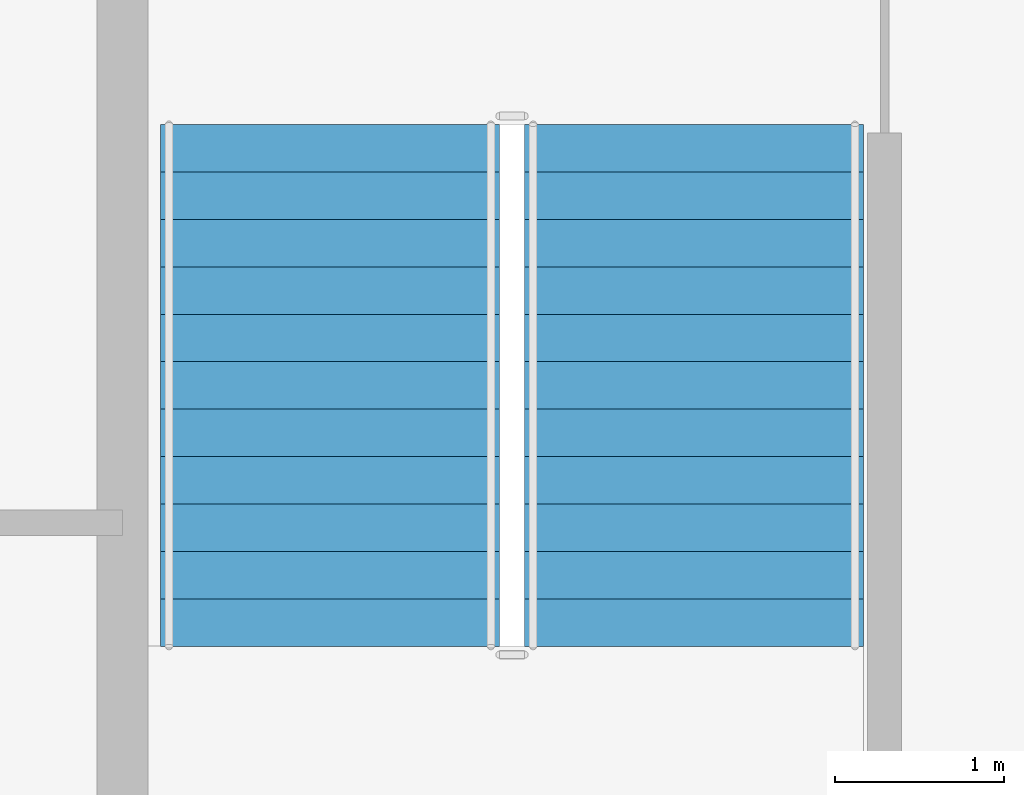
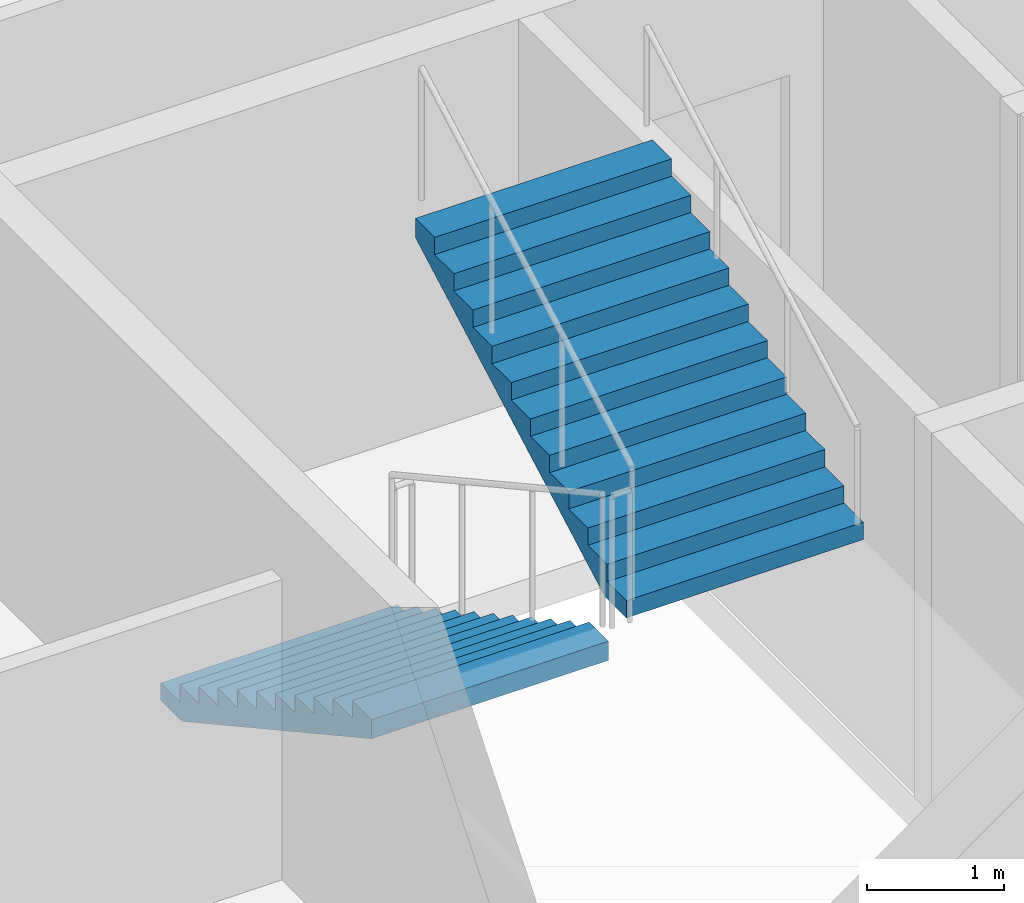
# One storey, part 9 of 12: 2 stair flights, 1 element without a shape of its own.
"""IFC4 building model written with IfcOpenShell, lengths in metres."""

import ifcopenshell
import ifcopenshell.guid

model = None  # the IFC model being written
_history = None  # IfcOwnerHistory: only IFC2X3 demands one
_inside = {}  # id of a spatial element -> (the spatial element, [elements in it])
_under = {}  # id of a project, library or spatial element -> (it, [spatial elements below it])
_declared = {}  # id of a project -> (the project, [libraries it declares])
_typed = {}  # id of a type object -> (the type object, [elements of that type])
_made_of = {}  # id of a material, layer set ... -> (it, [elements and type objects made of it])


def new_model(schema):
    """Start an empty IFC model of exactly this schema.

    Asked for "IFC4X3", IfcOpenShell would pick the latest addendum, in which some entities
    have other attributes; the version numbers below select the first issue.
    IFC2X3 requires an IfcOwnerHistory on every rooted entity: one is made here for all.
    """
    global model, _history
    if schema == "IFC4X3":
        model = ifcopenshell.file(schema_version=(4, 3, 0, 0))
    else:
        model = ifcopenshell.file(schema=schema)
    _inside.clear()
    _under.clear()
    _declared.clear()
    _typed.clear()
    _made_of.clear()
    _history = None
    if model.schema == "IFC2X3":
        org = make("IfcOrganization", Name="unknown")
        user = make(
            "IfcPersonAndOrganization",
            ThePerson=make("IfcPerson", FamilyName="unknown"),
            TheOrganization=org,
        )
        app = make(
            "IfcApplication",
            ApplicationDeveloper=org,
            Version="unknown",
            ApplicationFullName="unknown",
            ApplicationIdentifier="unknown",
        )
        _history = make(
            "IfcOwnerHistory",
            OwningUser=user,
            OwningApplication=app,
            ChangeAction="ADDED",
            CreationDate=0,
        )
    return model


def make(cls, **values):
    """One entity of the class cls with the attributes given. An attribute that is None is left unset."""
    return model.create_entity(
        cls, **{name: value for name, value in values.items() if value is not None}
    )


def rooted(cls, **values):
    """An entity with a GlobalId (a new one), such as an element, a storey or a relation."""
    return make(cls, GlobalId=ifcopenshell.guid.new(), OwnerHistory=_history, **values)


def si_unit(unit_type, name, prefix=None):
    """IfcSIUnit, for example si_unit("LENGTHUNIT", "METRE", prefix="MILLI")."""
    return make("IfcSIUnit", UnitType=unit_type, Prefix=prefix, Name=name)


def assignment(units):
    """IfcUnitAssignment: the units of a project."""
    return None if units is None else make("IfcUnitAssignment", Units=units)


def point(xyz):
    """IfcCartesianPoint."""
    return None if xyz is None else make("IfcCartesianPoint", Coordinates=xyz)


def direction(xyz):
    """IfcDirection."""
    return None if xyz is None else make("IfcDirection", DirectionRatios=xyz)


def frame(location, z_axis=None, x_axis=None):
    """IfcAxis2Placement3D, a coordinate frame: its origin and axes. An axis left out is left unset."""
    return make(
        "IfcAxis2Placement3D",
        Location=point(location),
        Axis=direction(z_axis),
        RefDirection=direction(x_axis),
    )


def origin():
    """The frame at (0, 0, 0) with its axes left unset."""
    return frame((0.0, 0.0, 0.0))


def place(relative_to, where):
    """IfcLocalPlacement: puts the frame where relative to a parent placement (None: the world)."""
    return make(
        "IfcLocalPlacement", PlacementRelTo=relative_to, RelativePlacement=where
    )


def context(
    kind, dimensions, precision=None, world=None, true_north=None, identifier=None
):
    """IfcGeometricRepresentationContext, for example the 3D "Model" context."""
    return make(
        "IfcGeometricRepresentationContext",
        ContextIdentifier=identifier,
        ContextType=kind,
        CoordinateSpaceDimension=dimensions,
        Precision=precision,
        WorldCoordinateSystem=world,
        TrueNorth=true_north,
    )


def subcontext(parent, identifier, kind, view, scale=None):
    """IfcGeometricRepresentationSubContext, for example "Body" below "Model"."""
    return make(
        "IfcGeometricRepresentationSubContext",
        ContextIdentifier=identifier,
        ContextType=kind,
        ParentContext=parent,
        TargetScale=scale,
        TargetView=view,
    )


def project(units=None, contexts=None):
    """IfcProject with its units and contexts."""
    return rooted(
        "IfcProject",
        Name="project",
        RepresentationContexts=contexts,
        UnitsInContext=assignment(units),
    )


def spatial(cls, under=None, at=None, **own):
    """A site, building, storey or space (cls), placed at a placement, below another one or the project."""
    s = rooted(cls, ObjectPlacement=at, **own)
    if under is not None:
        _under.setdefault(under.id(), (under, []))[1].append(s)
    return s


def point_list(points):
    """IfcCartesianPointList2D or 3D."""
    cls = (
        "IfcCartesianPointList2D" if len(points[0]) == 2 else "IfcCartesianPointList3D"
    )
    return make(cls, CoordList=points)


def polygons(points, faces, closed=None, point_numbers=None):
    """IfcPolygonalFaceSet: a face is its outer loop, then its inner loops; points numbered from 1."""
    made = []
    for loops in faces:
        if len(loops) == 1:
            made.append(make("IfcIndexedPolygonalFace", CoordIndex=loops[0]))
        else:
            made.append(
                make(
                    "IfcIndexedPolygonalFaceWithVoids",
                    CoordIndex=loops[0],
                    InnerCoordIndices=loops[1:],
                )
            )
    return make(
        "IfcPolygonalFaceSet",
        Coordinates=point_list(points),
        Closed=closed,
        Faces=made,
        PnIndex=point_numbers,
    )


def shape(context_of_items, identifier, shape_type, items):
    """IfcShapeRepresentation: the items that make up one representation, for example the "Body"."""
    return make(
        "IfcShapeRepresentation",
        ContextOfItems=context_of_items,
        RepresentationIdentifier=identifier,
        RepresentationType=shape_type,
        Items=items,
    )


def material(Name=None, Category=None):
    """IfcMaterial."""
    return make("IfcMaterial", Name=Name, Category=Category)


def made_of(thing, what):
    """Note that an element or type object is made of a material, layer set ...; save() writes the relation."""
    if what is not None:
        _made_of.setdefault(what.id(), (what, []))[1].append(thing)
    return thing


def type_object(cls, material=None, **own):
    """A type object (cls), such as IfcWallType, which elements share."""
    return made_of(rooted(cls, **own), material)


def element(
    cls,
    number,
    at=None,
    inside=None,
    cuts=None,
    type_object=None,
    material=None,
    context=None,
    identifier="Body",
    shape_type=None,
    held_by="IfcProductDefinitionShape",
    body=None,
    shapes=None,
    **own,
):
    """One element of the class cls, such as IfcWall. Its Tag is "e" and its number.

    at: its placement. inside: the storey or other place that contains it. cuts: it is an
    opening in that element (IfcRelVoidsElement). A single representation is given by context,
    identifier, shape_type and body (its items); several are given by shapes. held_by: the class
    of the entity that holds the representations. save() writes the other relations.
    """
    e = rooted(cls, Tag="e%d" % number, ObjectPlacement=at, **own)
    if body is not None:
        shapes = [shape(context, identifier, shape_type, body)]
    if shapes is not None:
        e.Representation = make(held_by, Representations=shapes)
    if inside is not None:
        _inside.setdefault(inside.id(), (inside, []))[1].append(e)
    if cuts is not None:
        rooted(
            "IfcRelVoidsElement", RelatingBuildingElement=cuts, RelatedOpeningElement=e
        )
    if type_object is not None:
        _typed.setdefault(type_object.id(), (type_object, []))[1].append(e)
    return made_of(e, material)


def aggregate(whole, parts):
    """IfcRelAggregates: a whole, such as a stair, and the parts it consists of."""
    return rooted("IfcRelAggregates", RelatingObject=whole, RelatedObjects=parts)


def save(model, path):
    """Write the relations noted so far, then the file.

    IfcRelAggregates (storeys below a building ...), IfcRelContainedInSpatialStructure (elements
    in a storey), IfcRelDefinesByType, IfcRelAssociatesMaterial and IfcRelDeclares: one each for
    every whole, place, type object, material and project.
    """
    for whole, parts in _under.values():
        aggregate(whole, parts)
    for where, things in _inside.values():
        rooted(
            "IfcRelContainedInSpatialStructure",
            RelatedElements=things,
            RelatingStructure=where,
        )
    for kind, things in _typed.values():
        rooted("IfcRelDefinesByType", RelatedObjects=things, RelatingType=kind)
    for what, things in _made_of.values():
        rooted("IfcRelAssociatesMaterial", RelatedObjects=things, RelatingMaterial=what)
    for by, libraries in _declared.values():
        rooted("IfcRelDeclares", RelatingContext=by, RelatedDefinitions=libraries)
    model.write(path)


model = new_model("IFC4")

# Units and contexts
model_context = context("Model", 3, precision=1e-05, world=origin(), true_north=direction((0.0, 1.0)))
body_context = subcontext(model_context, "Body", "Model", "MODEL_VIEW")
ifc_project = project(units=[si_unit("LENGTHUNIT", "METRE"), si_unit("AREAUNIT", "SQUARE_METRE"), si_unit("VOLUMEUNIT", "CUBIC_METRE"), si_unit("PLANEANGLEUNIT", "RADIAN"), si_unit("MASSUNIT", "GRAM", prefix="KILO")], contexts=[model_context])

# Site, building, storey
site_placement = place(None, origin())
site = spatial("IfcSite", under=ifc_project, at=site_placement, CompositionType="ELEMENT")
building_placement = place(site_placement, origin())
building = spatial("IfcBuilding", under=site, at=building_placement, Name="Caravel Reach Hotel and Residences", CompositionType="ELEMENT")
storey_placement = place(building_placement, frame((0.0, 0.0, 199.800048828125)))
storey = spatial("IfcBuildingStorey", under=building, at=storey_placement, Name="L50", CompositionType="ELEMENT", Elevation=199.800048828125)

# Stair, stair flights
ifc_material_1 = material(Name="Concrete C40", Category="concrete")
stair_type = type_object("IfcStairType", Name="Core stair", PredefinedType="HALF_TURN_STAIR", material=ifc_material_1)
stair_placement = place(storey_placement, origin())
stair = element("IfcStair", 1, at=stair_placement, inside=storey, type_object=stair_type, Name="L50 Exit stair A", PredefinedType="HALF_TURN_STAIR")
ifc_material_2 = material(Name="Concrete C40", Category="concrete")
stair_flight_type = type_object("IfcStairFlightType", Name="Core stair flight", PredefinedType="STRAIGHT", material=ifc_material_2)
stair_flight_1_placement = place(storey_placement, frame((19.22509765625, 29.35009765625, 0.0), z_axis=(0.0, 0.0, 1.0), x_axis=(0.0, -1.0, 0.0)))
stair_flight_1 = element("IfcStairFlight", 2, at=stair_flight_1_placement, type_object=stair_flight_type, Name="ST-A flight 1", NumberOfRisers=12, NumberOfTreads=11, PredefinedType="STRAIGHT", RiserHeight=0.154166667, TreadLength=0.28, context=body_context, shape_type="Tessellation", body=[
    polygons([(0.3107950034306102, 1.0, 0.0), (0.3107950034306102, 0.6666666666666667, 0.0), (0.3107950034306102, 0.33333333333333337, 0.0), (0.3107950034306102, 0.0, 0.0), (0.3107950034306102, -0.33333333333333326, 0.0), (0.3107950034306102, -0.6666666666666667, 0.0), (0.3107950034306102, -1.0, 0.0), (3.081, 1.0, 1.524711087717319), (3.081, 0.6666666666666667, 1.524711087717319), (3.081, 0.33333333333333337, 1.524711087717319), (3.081, 0.0, 1.524711087717319), (3.081, -0.33333333333333326, 1.524711087717319), (3.081, -0.6666666666666667, 1.524711087717319), (3.081, -1.0, 1.524711087717319), (3.081, 1.0, 1.695833337), (3.081, 0.6666666666666667, 1.695833337), (3.081, 0.33333333333333337, 1.695833337), (3.081, 0.0, 1.695833337), (3.081, -0.33333333333333326, 1.695833337), (3.081, -0.6666666666666667, 1.695833337), (3.081, -1.0, 1.695833337), (2.8000000000000003, 1.0, 1.695833337), (2.8000000000000003, 0.6666666666666667, 1.695833337), (2.8000000000000003, 0.33333333333333337, 1.695833337), (2.8000000000000003, 0.0, 1.695833337), (2.8000000000000003, -0.33333333333333326, 1.695833337), (2.8000000000000003, -0.6666666666666667, 1.695833337), (2.8000000000000003, -1.0, 1.695833337), (2.8000000000000003, 1.0, 1.5416666700000001), (2.8000000000000003, 0.6666666666666667, 1.5416666700000001), (2.8000000000000003, 0.33333333333333337, 1.5416666700000001), (2.8000000000000003, 0.0, 1.5416666700000001), (2.8000000000000003, -0.33333333333333326, 1.5416666700000001), (2.8000000000000003, -0.6666666666666667, 1.5416666700000001), (2.8000000000000003, -1.0, 1.5416666700000001), (2.5200000000000005, 1.0, 1.5416666700000001), (2.5200000000000005, 0.6666666666666667, 1.5416666700000001), (2.5200000000000005, 0.33333333333333337, 1.5416666700000001), (2.5200000000000005, 0.0, 1.5416666700000001), (2.5200000000000005, -0.33333333333333326, 1.5416666700000001), (2.5200000000000005, -0.6666666666666667, 1.5416666700000001), (2.5200000000000005, -1.0, 1.5416666700000001), (2.5200000000000005, 1.0, 1.387500003), (2.5200000000000005, 0.6666666666666667, 1.387500003), (2.5200000000000005, 0.33333333333333337, 1.387500003), (2.5200000000000005, 0.0, 1.387500003), (2.5200000000000005, -0.33333333333333326, 1.387500003), (2.5200000000000005, -0.6666666666666667, 1.387500003), (2.5200000000000005, -1.0, 1.387500003), (2.24, 1.0, 1.387500003), (2.24, 0.6666666666666667, 1.387500003), (2.24, 0.33333333333333337, 1.387500003), (2.24, 0.0, 1.387500003), (2.24, -0.33333333333333326, 1.387500003), (2.24, -0.6666666666666667, 1.387500003), (2.24, -1.0, 1.387500003), (2.24, 1.0, 1.233333336), (2.24, 0.6666666666666667, 1.233333336), (2.24, 0.33333333333333337, 1.233333336), (2.24, 0.0, 1.233333336), (2.24, -0.33333333333333326, 1.233333336), (2.24, -0.6666666666666667, 1.233333336), (2.24, -1.0, 1.233333336), (1.9600000000000002, 1.0, 1.233333336), (1.9600000000000002, 0.6666666666666667, 1.233333336), (1.9600000000000002, 0.33333333333333337, 1.233333336), (1.9600000000000002, 0.0, 1.233333336), (1.9600000000000002, -0.33333333333333326, 1.233333336), (1.9600000000000002, -0.6666666666666667, 1.233333336), (1.9600000000000002, -1.0, 1.233333336), (1.9600000000000002, 1.0, 1.0791666690000001), (1.9600000000000002, 0.6666666666666667, 1.0791666690000001), (1.9600000000000002, 0.33333333333333337, 1.0791666690000001), (1.9600000000000002, 0.0, 1.0791666690000001), (1.9600000000000002, -0.33333333333333326, 1.0791666690000001), (1.9600000000000002, -0.6666666666666667, 1.0791666690000001), (1.9600000000000002, -1.0, 1.0791666690000001), (1.6800000000000002, 1.0, 1.0791666690000001), (1.6800000000000002, 0.6666666666666667, 1.0791666690000001), (1.6800000000000002, 0.33333333333333337, 1.0791666690000001), (1.6800000000000002, 0.0, 1.0791666690000001), (1.6800000000000002, -0.33333333333333326, 1.0791666690000001), (1.6800000000000002, -0.6666666666666667, 1.0791666690000001), (1.6800000000000002, -1.0, 1.0791666690000001), (1.6800000000000002, 1.0, 0.925000002), (1.6800000000000002, 0.6666666666666667, 0.925000002), (1.6800000000000002, 0.33333333333333337, 0.925000002), (1.6800000000000002, 0.0, 0.925000002), (1.6800000000000002, -0.33333333333333326, 0.925000002), (1.6800000000000002, -0.6666666666666667, 0.925000002), (1.6800000000000002, -1.0, 0.925000002), (1.4000000000000001, 1.0, 0.925000002), (1.4000000000000001, 0.6666666666666667, 0.925000002), (1.4000000000000001, 0.33333333333333337, 0.925000002), (1.4000000000000001, 0.0, 0.925000002), (1.4000000000000001, -0.33333333333333326, 0.925000002), (1.4000000000000001, -0.6666666666666667, 0.925000002), (1.4000000000000001, -1.0, 0.925000002), (1.4000000000000001, 1.0, 0.7708333350000001), (1.4000000000000001, 0.6666666666666667, 0.7708333350000001), (1.4000000000000001, 0.33333333333333337, 0.7708333350000001), (1.4000000000000001, 0.0, 0.7708333350000001), (1.4000000000000001, -0.33333333333333326, 0.7708333350000001), (1.4000000000000001, -0.6666666666666667, 0.7708333350000001), (1.4000000000000001, -1.0, 0.7708333350000001), (1.12, 1.0, 0.7708333350000001), (1.12, 0.6666666666666667, 0.7708333350000001), (1.12, 0.33333333333333337, 0.7708333350000001), (1.12, 0.0, 0.7708333350000001), (1.12, -0.33333333333333326, 0.7708333350000001), (1.12, -0.6666666666666667, 0.7708333350000001), (1.12, -1.0, 0.7708333350000001), (1.12, 1.0, 0.616666668), (1.12, 0.6666666666666667, 0.616666668), (1.12, 0.33333333333333337, 0.616666668), (1.12, 0.0, 0.616666668), (1.12, -0.33333333333333326, 0.616666668), (1.12, -0.6666666666666667, 0.616666668), (1.12, -1.0, 0.616666668), (0.8400000000000001, 1.0, 0.616666668), (0.8400000000000001, 0.6666666666666667, 0.616666668), (0.8400000000000001, 0.33333333333333337, 0.616666668), (0.8400000000000001, 0.0, 0.616666668), (0.8400000000000001, -0.33333333333333326, 0.616666668), (0.8400000000000001, -0.6666666666666667, 0.616666668), (0.8400000000000001, -1.0, 0.616666668), (0.8400000000000001, 1.0, 0.462500001), (0.8400000000000001, 0.6666666666666667, 0.462500001), (0.8400000000000001, 0.33333333333333337, 0.462500001), (0.8400000000000001, 0.0, 0.462500001), (0.8400000000000001, -0.33333333333333326, 0.462500001), (0.8400000000000001, -0.6666666666666667, 0.462500001), (0.8400000000000001, -1.0, 0.462500001), (0.56, 1.0, 0.462500001), (0.56, 0.6666666666666667, 0.462500001), (0.56, 0.33333333333333337, 0.462500001), (0.56, 0.0, 0.462500001), (0.56, -0.33333333333333326, 0.462500001), (0.56, -0.6666666666666667, 0.462500001), (0.56, -1.0, 0.462500001), (0.56, 1.0, 0.308333334), (0.56, 0.6666666666666667, 0.308333334), (0.56, 0.33333333333333337, 0.308333334), (0.56, 0.0, 0.308333334), (0.56, -0.33333333333333326, 0.308333334), (0.56, -0.6666666666666667, 0.308333334), (0.56, -1.0, 0.308333334), (0.28, 1.0, 0.308333334), (0.28, 0.6666666666666667, 0.308333334), (0.28, 0.33333333333333337, 0.308333334), (0.28, 0.0, 0.308333334), (0.28, -0.33333333333333326, 0.308333334), (0.28, -0.6666666666666667, 0.308333334), (0.28, -1.0, 0.308333334), (0.28, 1.0, 0.154166667), (0.28, 0.6666666666666667, 0.154166667), (0.28, 0.33333333333333337, 0.154166667), (0.28, 0.0, 0.154166667), (0.28, -0.33333333333333326, 0.154166667), (0.28, -0.6666666666666667, 0.154166667), (0.28, -1.0, 0.154166667), (-0.001, 1.0, 0.154166667), (-0.001, 0.6666666666666667, 0.154166667), (-0.001, 0.33333333333333337, 0.154166667), (-0.001, 0.0, 0.154166667), (-0.001, -0.33333333333333326, 0.154166667), (-0.001, -0.6666666666666667, 0.154166667), (-0.001, -1.0, 0.154166667), (-0.001, 1.0, 0.0), (-0.001, 0.6666666666666667, 0.0), (-0.001, 0.33333333333333337, 0.0), (-0.001, 0.0, 0.0), (-0.001, -0.33333333333333326, 0.0), (-0.001, -0.6666666666666667, 0.0), (-0.001, -1.0, 0.0)], [[[169, 162, 155, 148, 141, 134, 127, 120, 113, 106, 99, 92, 85, 78, 71, 64, 57, 50, 43, 36, 29, 22, 15, 8, 1]], [[7, 14, 21, 28, 35, 42, 49, 56, 63, 70, 77, 84, 91, 98, 105, 112, 119, 126, 133, 140, 147, 154, 161, 168, 175]], [[1, 8, 9, 2]], [[2, 9, 10, 3]], [[3, 10, 11, 4]], [[4, 11, 12, 5]], [[5, 12, 13, 6]], [[6, 13, 14, 7]], [[8, 15, 16, 9]], [[9, 16, 17, 10]], [[10, 17, 18, 11]], [[11, 18, 19, 12]], [[12, 19, 20, 13]], [[13, 20, 21, 14]], [[15, 22, 23, 16]], [[16, 23, 24, 17]], [[17, 24, 25, 18]], [[18, 25, 26, 19]], [[19, 26, 27, 20]], [[20, 27, 28, 21]], [[22, 29, 30, 23]], [[23, 30, 31, 24]], [[24, 31, 32, 25]], [[25, 32, 33, 26]], [[26, 33, 34, 27]], [[27, 34, 35, 28]], [[29, 36, 37, 30]], [[30, 37, 38, 31]], [[31, 38, 39, 32]], [[32, 39, 40, 33]], [[33, 40, 41, 34]], [[34, 41, 42, 35]], [[36, 43, 44, 37]], [[37, 44, 45, 38]], [[38, 45, 46, 39]], [[39, 46, 47, 40]], [[40, 47, 48, 41]], [[41, 48, 49, 42]], [[43, 50, 51, 44]], [[44, 51, 52, 45]], [[45, 52, 53, 46]], [[46, 53, 54, 47]], [[47, 54, 55, 48]], [[48, 55, 56, 49]], [[50, 57, 58, 51]], [[51, 58, 59, 52]], [[52, 59, 60, 53]], [[53, 60, 61, 54]], [[54, 61, 62, 55]], [[55, 62, 63, 56]], [[57, 64, 65, 58]], [[58, 65, 66, 59]], [[59, 66, 67, 60]], [[60, 67, 68, 61]], [[61, 68, 69, 62]], [[62, 69, 70, 63]], [[64, 71, 72, 65]], [[65, 72, 73, 66]], [[66, 73, 74, 67]], [[67, 74, 75, 68]], [[68, 75, 76, 69]], [[69, 76, 77, 70]], [[71, 78, 79, 72]], [[72, 79, 80, 73]], [[73, 80, 81, 74]], [[74, 81, 82, 75]], [[75, 82, 83, 76]], [[76, 83, 84, 77]], [[78, 85, 86, 79]], [[79, 86, 87, 80]], [[80, 87, 88, 81]], [[81, 88, 89, 82]], [[82, 89, 90, 83]], [[83, 90, 91, 84]], [[85, 92, 93, 86]], [[86, 93, 94, 87]], [[87, 94, 95, 88]], [[88, 95, 96, 89]], [[89, 96, 97, 90]], [[90, 97, 98, 91]], [[92, 99, 100, 93]], [[93, 100, 101, 94]], [[94, 101, 102, 95]], [[95, 102, 103, 96]], [[96, 103, 104, 97]], [[97, 104, 105, 98]], [[99, 106, 107, 100]], [[100, 107, 108, 101]], [[101, 108, 109, 102]], [[102, 109, 110, 103]], [[103, 110, 111, 104]], [[104, 111, 112, 105]], [[106, 113, 114, 107]], [[107, 114, 115, 108]], [[108, 115, 116, 109]], [[109, 116, 117, 110]], [[110, 117, 118, 111]], [[111, 118, 119, 112]], [[113, 120, 121, 114]], [[114, 121, 122, 115]], [[115, 122, 123, 116]], [[116, 123, 124, 117]], [[117, 124, 125, 118]], [[118, 125, 126, 119]], [[120, 127, 128, 121]], [[121, 128, 129, 122]], [[122, 129, 130, 123]], [[123, 130, 131, 124]], [[124, 131, 132, 125]], [[125, 132, 133, 126]], [[127, 134, 135, 128]], [[128, 135, 136, 129]], [[129, 136, 137, 130]], [[130, 137, 138, 131]], [[131, 138, 139, 132]], [[132, 139, 140, 133]], [[134, 141, 142, 135]], [[135, 142, 143, 136]], [[136, 143, 144, 137]], [[137, 144, 145, 138]], [[138, 145, 146, 139]], [[139, 146, 147, 140]], [[141, 148, 149, 142]], [[142, 149, 150, 143]], [[143, 150, 151, 144]], [[144, 151, 152, 145]], [[145, 152, 153, 146]], [[146, 153, 154, 147]], [[148, 155, 156, 149]], [[149, 156, 157, 150]], [[150, 157, 158, 151]], [[151, 158, 159, 152]], [[152, 159, 160, 153]], [[153, 160, 161, 154]], [[155, 162, 163, 156]], [[156, 163, 164, 157]], [[157, 164, 165, 158]], [[158, 165, 166, 159]], [[159, 166, 167, 160]], [[160, 167, 168, 161]], [[162, 169, 170, 163]], [[163, 170, 171, 164]], [[164, 171, 172, 165]], [[165, 172, 173, 166]], [[166, 173, 174, 167]], [[167, 174, 175, 168]], [[169, 1, 2, 170]], [[170, 2, 3, 171]], [[171, 3, 4, 172]], [[172, 4, 5, 173]], [[173, 5, 6, 174]], [[174, 6, 7, 175]]], closed=True),
])
stair_flight_2_placement = place(storey_placement, frame((21.375, 26.27001953125, 1.849853515625), z_axis=(0.0, 0.0, 1.0), x_axis=(0.0, 1.0, 0.0)))
stair_flight_2 = element("IfcStairFlight", 3, at=stair_flight_2_placement, type_object=stair_flight_type, Name="ST-A flight 2", NumberOfRisers=12, NumberOfTreads=11, PredefinedType="STRAIGHT", RiserHeight=0.154166667, TreadLength=0.28, context=body_context, shape_type="Tessellation", body=[
    polygons([(0.3107950034306102, 1.0, 0.0), (0.3107950034306102, 0.6666666666666667, 0.0), (0.3107950034306102, 0.33333333333333337, 0.0), (0.3107950034306102, 0.0, 0.0), (0.3107950034306102, -0.33333333333333326, 0.0), (0.3107950034306102, -0.6666666666666667, 0.0), (0.3107950034306102, -1.0, 0.0), (3.081, 1.0, 1.524711087717319), (3.081, 0.6666666666666667, 1.524711087717319), (3.081, 0.33333333333333337, 1.524711087717319), (3.081, 0.0, 1.524711087717319), (3.081, -0.33333333333333326, 1.524711087717319), (3.081, -0.6666666666666667, 1.524711087717319), (3.081, -1.0, 1.524711087717319), (3.081, 1.0, 1.695833337), (3.081, 0.6666666666666667, 1.695833337), (3.081, 0.33333333333333337, 1.695833337), (3.081, 0.0, 1.695833337), (3.081, -0.33333333333333326, 1.695833337), (3.081, -0.6666666666666667, 1.695833337), (3.081, -1.0, 1.695833337), (2.8000000000000003, 1.0, 1.695833337), (2.8000000000000003, 0.6666666666666667, 1.695833337), (2.8000000000000003, 0.33333333333333337, 1.695833337), (2.8000000000000003, 0.0, 1.695833337), (2.8000000000000003, -0.33333333333333326, 1.695833337), (2.8000000000000003, -0.6666666666666667, 1.695833337), (2.8000000000000003, -1.0, 1.695833337), (2.8000000000000003, 1.0, 1.5416666700000001), (2.8000000000000003, 0.6666666666666667, 1.5416666700000001), (2.8000000000000003, 0.33333333333333337, 1.5416666700000001), (2.8000000000000003, 0.0, 1.5416666700000001), (2.8000000000000003, -0.33333333333333326, 1.5416666700000001), (2.8000000000000003, -0.6666666666666667, 1.5416666700000001), (2.8000000000000003, -1.0, 1.5416666700000001), (2.5200000000000005, 1.0, 1.5416666700000001), (2.5200000000000005, 0.6666666666666667, 1.5416666700000001), (2.5200000000000005, 0.33333333333333337, 1.5416666700000001), (2.5200000000000005, 0.0, 1.5416666700000001), (2.5200000000000005, -0.33333333333333326, 1.5416666700000001), (2.5200000000000005, -0.6666666666666667, 1.5416666700000001), (2.5200000000000005, -1.0, 1.5416666700000001), (2.5200000000000005, 1.0, 1.387500003), (2.5200000000000005, 0.6666666666666667, 1.387500003), (2.5200000000000005, 0.33333333333333337, 1.387500003), (2.5200000000000005, 0.0, 1.387500003), (2.5200000000000005, -0.33333333333333326, 1.387500003), (2.5200000000000005, -0.6666666666666667, 1.387500003), (2.5200000000000005, -1.0, 1.387500003), (2.24, 1.0, 1.387500003), (2.24, 0.6666666666666667, 1.387500003), (2.24, 0.33333333333333337, 1.387500003), (2.24, 0.0, 1.387500003), (2.24, -0.33333333333333326, 1.387500003), (2.24, -0.6666666666666667, 1.387500003), (2.24, -1.0, 1.387500003), (2.24, 1.0, 1.233333336), (2.24, 0.6666666666666667, 1.233333336), (2.24, 0.33333333333333337, 1.233333336), (2.24, 0.0, 1.233333336), (2.24, -0.33333333333333326, 1.233333336), (2.24, -0.6666666666666667, 1.233333336), (2.24, -1.0, 1.233333336), (1.9600000000000002, 1.0, 1.233333336), (1.9600000000000002, 0.6666666666666667, 1.233333336), (1.9600000000000002, 0.33333333333333337, 1.233333336), (1.9600000000000002, 0.0, 1.233333336), (1.9600000000000002, -0.33333333333333326, 1.233333336), (1.9600000000000002, -0.6666666666666667, 1.233333336), (1.9600000000000002, -1.0, 1.233333336), (1.9600000000000002, 1.0, 1.0791666690000001), (1.9600000000000002, 0.6666666666666667, 1.0791666690000001), (1.9600000000000002, 0.33333333333333337, 1.0791666690000001), (1.9600000000000002, 0.0, 1.0791666690000001), (1.9600000000000002, -0.33333333333333326, 1.0791666690000001), (1.9600000000000002, -0.6666666666666667, 1.0791666690000001), (1.9600000000000002, -1.0, 1.0791666690000001), (1.6800000000000002, 1.0, 1.0791666690000001), (1.6800000000000002, 0.6666666666666667, 1.0791666690000001), (1.6800000000000002, 0.33333333333333337, 1.0791666690000001), (1.6800000000000002, 0.0, 1.0791666690000001), (1.6800000000000002, -0.33333333333333326, 1.0791666690000001), (1.6800000000000002, -0.6666666666666667, 1.0791666690000001), (1.6800000000000002, -1.0, 1.0791666690000001), (1.6800000000000002, 1.0, 0.925000002), (1.6800000000000002, 0.6666666666666667, 0.925000002), (1.6800000000000002, 0.33333333333333337, 0.925000002), (1.6800000000000002, 0.0, 0.925000002), (1.6800000000000002, -0.33333333333333326, 0.925000002), (1.6800000000000002, -0.6666666666666667, 0.925000002), (1.6800000000000002, -1.0, 0.925000002), (1.4000000000000001, 1.0, 0.925000002), (1.4000000000000001, 0.6666666666666667, 0.925000002), (1.4000000000000001, 0.33333333333333337, 0.925000002), (1.4000000000000001, 0.0, 0.925000002), (1.4000000000000001, -0.33333333333333326, 0.925000002), (1.4000000000000001, -0.6666666666666667, 0.925000002), (1.4000000000000001, -1.0, 0.925000002), (1.4000000000000001, 1.0, 0.7708333350000001), (1.4000000000000001, 0.6666666666666667, 0.7708333350000001), (1.4000000000000001, 0.33333333333333337, 0.7708333350000001), (1.4000000000000001, 0.0, 0.7708333350000001), (1.4000000000000001, -0.33333333333333326, 0.7708333350000001), (1.4000000000000001, -0.6666666666666667, 0.7708333350000001), (1.4000000000000001, -1.0, 0.7708333350000001), (1.12, 1.0, 0.7708333350000001), (1.12, 0.6666666666666667, 0.7708333350000001), (1.12, 0.33333333333333337, 0.7708333350000001), (1.12, 0.0, 0.7708333350000001), (1.12, -0.33333333333333326, 0.7708333350000001), (1.12, -0.6666666666666667, 0.7708333350000001), (1.12, -1.0, 0.7708333350000001), (1.12, 1.0, 0.616666668), (1.12, 0.6666666666666667, 0.616666668), (1.12, 0.33333333333333337, 0.616666668), (1.12, 0.0, 0.616666668), (1.12, -0.33333333333333326, 0.616666668), (1.12, -0.6666666666666667, 0.616666668), (1.12, -1.0, 0.616666668), (0.8400000000000001, 1.0, 0.616666668), (0.8400000000000001, 0.6666666666666667, 0.616666668), (0.8400000000000001, 0.33333333333333337, 0.616666668), (0.8400000000000001, 0.0, 0.616666668), (0.8400000000000001, -0.33333333333333326, 0.616666668), (0.8400000000000001, -0.6666666666666667, 0.616666668), (0.8400000000000001, -1.0, 0.616666668), (0.8400000000000001, 1.0, 0.462500001), (0.8400000000000001, 0.6666666666666667, 0.462500001), (0.8400000000000001, 0.33333333333333337, 0.462500001), (0.8400000000000001, 0.0, 0.462500001), (0.8400000000000001, -0.33333333333333326, 0.462500001), (0.8400000000000001, -0.6666666666666667, 0.462500001), (0.8400000000000001, -1.0, 0.462500001), (0.56, 1.0, 0.462500001), (0.56, 0.6666666666666667, 0.462500001), (0.56, 0.33333333333333337, 0.462500001), (0.56, 0.0, 0.462500001), (0.56, -0.33333333333333326, 0.462500001), (0.56, -0.6666666666666667, 0.462500001), (0.56, -1.0, 0.462500001), (0.56, 1.0, 0.308333334), (0.56, 0.6666666666666667, 0.308333334), (0.56, 0.33333333333333337, 0.308333334), (0.56, 0.0, 0.308333334), (0.56, -0.33333333333333326, 0.308333334), (0.56, -0.6666666666666667, 0.308333334), (0.56, -1.0, 0.308333334), (0.28, 1.0, 0.308333334), (0.28, 0.6666666666666667, 0.308333334), (0.28, 0.33333333333333337, 0.308333334), (0.28, 0.0, 0.308333334), (0.28, -0.33333333333333326, 0.308333334), (0.28, -0.6666666666666667, 0.308333334), (0.28, -1.0, 0.308333334), (0.28, 1.0, 0.154166667), (0.28, 0.6666666666666667, 0.154166667), (0.28, 0.33333333333333337, 0.154166667), (0.28, 0.0, 0.154166667), (0.28, -0.33333333333333326, 0.154166667), (0.28, -0.6666666666666667, 0.154166667), (0.28, -1.0, 0.154166667), (-0.001, 1.0, 0.154166667), (-0.001, 0.6666666666666667, 0.154166667), (-0.001, 0.33333333333333337, 0.154166667), (-0.001, 0.0, 0.154166667), (-0.001, -0.33333333333333326, 0.154166667), (-0.001, -0.6666666666666667, 0.154166667), (-0.001, -1.0, 0.154166667), (-0.001, 1.0, 0.0), (-0.001, 0.6666666666666667, 0.0), (-0.001, 0.33333333333333337, 0.0), (-0.001, 0.0, 0.0), (-0.001, -0.33333333333333326, 0.0), (-0.001, -0.6666666666666667, 0.0), (-0.001, -1.0, 0.0)], [[[169, 162, 155, 148, 141, 134, 127, 120, 113, 106, 99, 92, 85, 78, 71, 64, 57, 50, 43, 36, 29, 22, 15, 8, 1]], [[7, 14, 21, 28, 35, 42, 49, 56, 63, 70, 77, 84, 91, 98, 105, 112, 119, 126, 133, 140, 147, 154, 161, 168, 175]], [[1, 8, 9, 2]], [[2, 9, 10, 3]], [[3, 10, 11, 4]], [[4, 11, 12, 5]], [[5, 12, 13, 6]], [[6, 13, 14, 7]], [[8, 15, 16, 9]], [[9, 16, 17, 10]], [[10, 17, 18, 11]], [[11, 18, 19, 12]], [[12, 19, 20, 13]], [[13, 20, 21, 14]], [[15, 22, 23, 16]], [[16, 23, 24, 17]], [[17, 24, 25, 18]], [[18, 25, 26, 19]], [[19, 26, 27, 20]], [[20, 27, 28, 21]], [[22, 29, 30, 23]], [[23, 30, 31, 24]], [[24, 31, 32, 25]], [[25, 32, 33, 26]], [[26, 33, 34, 27]], [[27, 34, 35, 28]], [[29, 36, 37, 30]], [[30, 37, 38, 31]], [[31, 38, 39, 32]], [[32, 39, 40, 33]], [[33, 40, 41, 34]], [[34, 41, 42, 35]], [[36, 43, 44, 37]], [[37, 44, 45, 38]], [[38, 45, 46, 39]], [[39, 46, 47, 40]], [[40, 47, 48, 41]], [[41, 48, 49, 42]], [[43, 50, 51, 44]], [[44, 51, 52, 45]], [[45, 52, 53, 46]], [[46, 53, 54, 47]], [[47, 54, 55, 48]], [[48, 55, 56, 49]], [[50, 57, 58, 51]], [[51, 58, 59, 52]], [[52, 59, 60, 53]], [[53, 60, 61, 54]], [[54, 61, 62, 55]], [[55, 62, 63, 56]], [[57, 64, 65, 58]], [[58, 65, 66, 59]], [[59, 66, 67, 60]], [[60, 67, 68, 61]], [[61, 68, 69, 62]], [[62, 69, 70, 63]], [[64, 71, 72, 65]], [[65, 72, 73, 66]], [[66, 73, 74, 67]], [[67, 74, 75, 68]], [[68, 75, 76, 69]], [[69, 76, 77, 70]], [[71, 78, 79, 72]], [[72, 79, 80, 73]], [[73, 80, 81, 74]], [[74, 81, 82, 75]], [[75, 82, 83, 76]], [[76, 83, 84, 77]], [[78, 85, 86, 79]], [[79, 86, 87, 80]], [[80, 87, 88, 81]], [[81, 88, 89, 82]], [[82, 89, 90, 83]], [[83, 90, 91, 84]], [[85, 92, 93, 86]], [[86, 93, 94, 87]], [[87, 94, 95, 88]], [[88, 95, 96, 89]], [[89, 96, 97, 90]], [[90, 97, 98, 91]], [[92, 99, 100, 93]], [[93, 100, 101, 94]], [[94, 101, 102, 95]], [[95, 102, 103, 96]], [[96, 103, 104, 97]], [[97, 104, 105, 98]], [[99, 106, 107, 100]], [[100, 107, 108, 101]], [[101, 108, 109, 102]], [[102, 109, 110, 103]], [[103, 110, 111, 104]], [[104, 111, 112, 105]], [[106, 113, 114, 107]], [[107, 114, 115, 108]], [[108, 115, 116, 109]], [[109, 116, 117, 110]], [[110, 117, 118, 111]], [[111, 118, 119, 112]], [[113, 120, 121, 114]], [[114, 121, 122, 115]], [[115, 122, 123, 116]], [[116, 123, 124, 117]], [[117, 124, 125, 118]], [[118, 125, 126, 119]], [[120, 127, 128, 121]], [[121, 128, 129, 122]], [[122, 129, 130, 123]], [[123, 130, 131, 124]], [[124, 131, 132, 125]], [[125, 132, 133, 126]], [[127, 134, 135, 128]], [[128, 135, 136, 129]], [[129, 136, 137, 130]], [[130, 137, 138, 131]], [[131, 138, 139, 132]], [[132, 139, 140, 133]], [[134, 141, 142, 135]], [[135, 142, 143, 136]], [[136, 143, 144, 137]], [[137, 144, 145, 138]], [[138, 145, 146, 139]], [[139, 146, 147, 140]], [[141, 148, 149, 142]], [[142, 149, 150, 143]], [[143, 150, 151, 144]], [[144, 151, 152, 145]], [[145, 152, 153, 146]], [[146, 153, 154, 147]], [[148, 155, 156, 149]], [[149, 156, 157, 150]], [[150, 157, 158, 151]], [[151, 158, 159, 152]], [[152, 159, 160, 153]], [[153, 160, 161, 154]], [[155, 162, 163, 156]], [[156, 163, 164, 157]], [[157, 164, 165, 158]], [[158, 165, 166, 159]], [[159, 166, 167, 160]], [[160, 167, 168, 161]], [[162, 169, 170, 163]], [[163, 170, 171, 164]], [[164, 171, 172, 165]], [[165, 172, 173, 166]], [[166, 173, 174, 167]], [[167, 174, 175, 168]], [[169, 1, 2, 170]], [[170, 2, 3, 171]], [[171, 3, 4, 172]], [[172, 4, 5, 173]], [[173, 5, 6, 174]], [[174, 6, 7, 175]]], closed=True),
])
aggregate(stair, [stair_flight_1, stair_flight_2])

save(model, "model.ifc")
